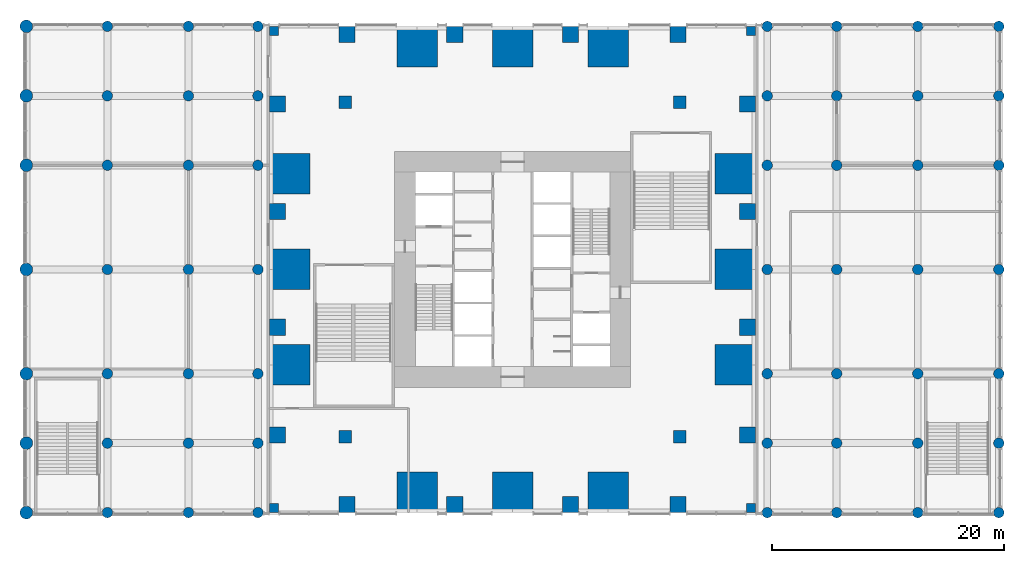
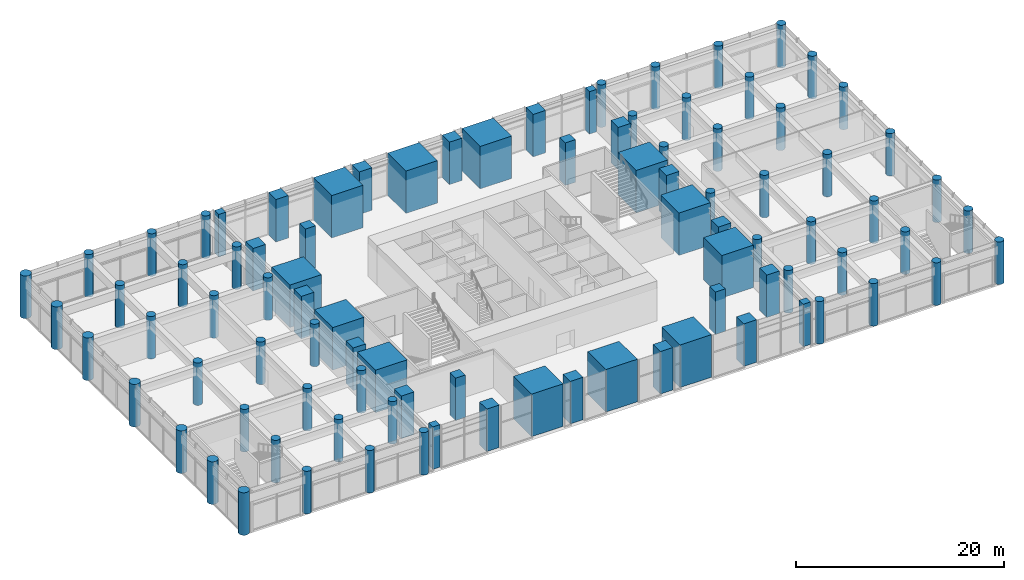
# One storey, part 1 of 23: 92 columns.
"""IFC4 building model written with IfcOpenShell, lengths in metres."""

from ifc_helpers import new_model, si_unit, direction, frame, origin, origin_2d, place, context, subcontext, project, spatial, rectangle, circle, extrude, material, material_profile, profile_set, type_object, element, save


model = new_model("IFC4")

# Units and contexts
model_context = context("Model", 3, precision=1e-05, world=origin(), true_north=direction((0.0, 1.0)))
body_context = subcontext(model_context, "Body", "Model", "MODEL_VIEW")
ifc_project = project(units=[si_unit("LENGTHUNIT", "METRE"), si_unit("AREAUNIT", "SQUARE_METRE"), si_unit("VOLUMEUNIT", "CUBIC_METRE"), si_unit("PLANEANGLEUNIT", "RADIAN"), si_unit("MASSUNIT", "GRAM", prefix="KILO")], contexts=[model_context])

# Site, building, storey
site_placement = place(None, origin())
site = spatial("IfcSite", under=ifc_project, at=site_placement, CompositionType="ELEMENT")
building_placement = place(site_placement, origin())
building = spatial("IfcBuilding", under=site, at=building_placement, Name="Svetlomir Tower", CompositionType="ELEMENT")
storey_placement = place(building_placement, frame((0.0, 0.0, 6.0)))
storey = spatial("IfcBuildingStorey", under=building, at=storey_placement, Name="L01", CompositionType="ELEMENT", Elevation=6.0)

# Columns
ifc_material_1 = material(Name="Concrete C60/75", Category="concrete")
ifc_material_profile_1 = material_profile(ifc_material_1, rectangle(XDim=1.10009765625, YDim=1.10009765625, at=origin_2d()), Name="RC 1100x1100")
ifc_profile_set_1 = profile_set([ifc_material_profile_1], Name="Concrete C60/75")
column_type_1 = type_object("IfcColumnType", Name="COLUMN RC 1100x1100", PredefinedType="COLUMN", material=ifc_profile_set_1)
for number, where, z_axis, x_axis, name in (
    (1, (6.550048828125, 6.550048828125, 0.0), (0.0, 0.0, 1.0), (1.0, 0.0, 0.0), "Column 6/6 L01"),
    (2, (35.449951171875, 6.550048828125, 0.0), (0.0, 0.0, 1.0), (1.0, 0.0, 0.0), "Column 36/6 L01"),
    (3, (6.550048828125, 35.449951171875, 0.0), (0.0, 0.0, 1.0), (1.0, 0.0, 0.0), "Column 6/36 L01"),
    (4, (35.449951171875, 35.449951171875, 0.0), (0.0, 0.0, 1.0), (1.0, 0.0, 0.0), "Column 36/36 L01"),
):
    element("IfcColumn", number, at=place(storey_placement, frame(where, z_axis=z_axis, x_axis=x_axis)), inside=storey, type_object=column_type_1, Name=name, PredefinedType="COLUMN", context=body_context, shape_type="SweptSolid", body=[
        extrude(rectangle(XDim=1.10009765625, YDim=1.10009765625, at=origin_2d()), origin(), (0.0, 0.0, 1.0), 5.0),
    ])
ifc_material_2 = material(Name="Concrete C60/75", Category="concrete")
ifc_material_profile_2 = material_profile(ifc_material_2, rectangle(XDim=1.39990234375, YDim=1.39990234375, at=origin_2d()), Name="RC 1400x1400")
ifc_profile_set_2 = profile_set([ifc_material_profile_2], Name="Concrete C60/75")
column_type_2 = type_object("IfcColumnType", Name="COLUMN RC 1400x1400", PredefinedType="COLUMN", material=ifc_profile_set_2)
for number, where, z_axis, x_axis, name in (
    (5, (6.699951171875, 0.699951171875, 0.0), (0.0, 0.0, 1.0), (1.0, 0.0, 0.0), "Column 6/0 L01"),
    (6, (16.0, 0.699951171875, 0.0), (0.0, 0.0, 1.0), (1.0, 0.0, 0.0), "Column 16/0 L01"),
    (7, (26.0, 0.699951171875, 0.0), (0.0, 0.0, 1.0), (1.0, 0.0, 0.0), "Column 26/0 L01"),
    (8, (35.300048828125, 0.699951171875, 0.0), (0.0, 0.0, 1.0), (1.0, 0.0, 0.0), "Column 36/0 L01"),
    (9, (0.699951171875, 6.699951171875, 0.0), (0.0, 0.0, 1.0), (1.0, 0.0, 0.0), "Column 0/6 L01"),
    (10, (41.300048828125, 6.699951171875, 0.0), (0.0, 0.0, 1.0), (1.0, 0.0, 0.0), "Column 42/6 L01"),
    (11, (0.699951171875, 16.0, 0.0), (0.0, 0.0, 1.0), (1.0, 0.0, 0.0), "Column 0/16 L01"),
    (12, (41.300048828125, 16.0, 0.0), (0.0, 0.0, 1.0), (1.0, 0.0, 0.0), "Column 42/16 L01"),
    (13, (0.699951171875, 26.0, 0.0), (0.0, 0.0, 1.0), (1.0, 0.0, 0.0), "Column 0/26 L01"),
    (14, (41.300048828125, 26.0, 0.0), (0.0, 0.0, 1.0), (1.0, 0.0, 0.0), "Column 42/26 L01"),
    (15, (0.699951171875, 35.300048828125, 0.0), (0.0, 0.0, 1.0), (1.0, 0.0, 0.0), "Column 0/36 L01"),
    (16, (41.300048828125, 35.300048828125, 0.0), (0.0, 0.0, 1.0), (1.0, 0.0, 0.0), "Column 42/36 L01"),
    (17, (6.699951171875, 41.300048828125, 0.0), (0.0, 0.0, 1.0), (1.0, 0.0, 0.0), "Column 6/42 L01"),
    (18, (16.0, 41.300048828125, 0.0), (0.0, 0.0, 1.0), (1.0, 0.0, 0.0), "Column 16/42 L01"),
    (19, (26.0, 41.300048828125, 0.0), (0.0, 0.0, 1.0), (1.0, 0.0, 0.0), "Column 26/42 L01"),
    (20, (35.300048828125, 41.300048828125, 0.0), (0.0, 0.0, 1.0), (1.0, 0.0, 0.0), "Column 36/42 L01"),
):
    element("IfcColumn", number, at=place(storey_placement, frame(where, z_axis=z_axis, x_axis=x_axis)), inside=storey, type_object=column_type_2, Name=name, PredefinedType="COLUMN", context=body_context, shape_type="SweptSolid", body=[
        extrude(rectangle(XDim=1.39990234375, YDim=1.39990234375, at=origin_2d()), origin(), (0.0, 0.0, 1.0), 5.0),
    ])
ifc_material_3 = material(Name="Concrete C60/75", Category="concrete")
ifc_material_profile_3 = material_profile(ifc_material_3, rectangle(XDim=3.5, YDim=3.5, at=origin_2d()), Name="RC 3500x3500")
ifc_profile_set_3 = profile_set([ifc_material_profile_3], Name="Concrete C60/75")
column_type_3 = type_object("IfcColumnType", Name="COLUMN RC 3500x3500", PredefinedType="COLUMN", material=ifc_profile_set_3)
for number, where, z_axis, x_axis, name in (
    (21, (12.75, 1.75, 0.0), (0.0, 0.0, 1.0), (1.0, 0.0, 0.0), "Column 11/0 L01"),
    (22, (21.0, 1.75, 0.0), (0.0, 0.0, 1.0), (1.0, 0.0, 0.0), "Column 21/0 L01"),
    (23, (29.25, 1.75, 0.0), (0.0, 0.0, 1.0), (1.0, 0.0, 0.0), "Column 31/0 L01"),
    (24, (1.75, 12.75, 0.0), (0.0, 0.0, 1.0), (1.0, 0.0, 0.0), "Column 0/11 L01"),
    (25, (40.25, 12.75, 0.0), (0.0, 0.0, 1.0), (1.0, 0.0, 0.0), "Column 42/11 L01"),
    (26, (1.75, 21.0, 0.0), (0.0, 0.0, 1.0), (1.0, 0.0, 0.0), "Column 0/21 L01"),
    (27, (40.25, 21.0, 0.0), (0.0, 0.0, 1.0), (1.0, 0.0, 0.0), "Column 42/21 L01"),
    (28, (1.75, 29.25, 0.0), (0.0, 0.0, 1.0), (1.0, 0.0, 0.0), "Column 0/31 L01"),
    (29, (40.25, 29.25, 0.0), (0.0, 0.0, 1.0), (1.0, 0.0, 0.0), "Column 42/31 L01"),
    (30, (12.75, 40.25, 0.0), (0.0, 0.0, 1.0), (1.0, 0.0, 0.0), "Column 11/42 L01"),
    (31, (21.0, 40.25, 0.0), (0.0, 0.0, 1.0), (1.0, 0.0, 0.0), "Column 21/42 L01"),
    (32, (29.25, 40.25, 0.0), (0.0, 0.0, 1.0), (1.0, 0.0, 0.0), "Column 31/42 L01"),
):
    element("IfcColumn", number, at=place(storey_placement, frame(where, z_axis=z_axis, x_axis=x_axis)), inside=storey, type_object=column_type_3, Name=name, PredefinedType="COLUMN", context=body_context, shape_type="SweptSolid", body=[
        extrude(rectangle(XDim=3.5, YDim=3.5, at=origin_2d()), origin(), (0.0, 0.0, 1.0), 5.0),
    ])
ifc_material_4 = material(Name="Concrete C60/75", Category="concrete")
ifc_material_profile_4 = material_profile(ifc_material_4, rectangle(XDim=0.800048828125, YDim=0.800048828125, at=origin_2d()), Name="RC 800x800")
ifc_profile_set_4 = profile_set([ifc_material_profile_4], Name="Concrete C60/75")
column_type_4 = type_object("IfcColumnType", Name="COLUMN RC 800x800", PredefinedType="COLUMN", material=ifc_profile_set_4)
for number, where, z_axis, x_axis, name in (
    (33, (0.39990234375, 0.39990234375, 0.0), (0.0, 0.0, 1.0), (1.0, 0.0, 0.0), "Column 0/0 L01"),
    (34, (41.60009765625, 0.39990234375, 0.0), (0.0, 0.0, 1.0), (1.0, 0.0, 0.0), "Column 42/0 L01"),
    (35, (0.39990234375, 41.60009765625, 0.0), (0.0, 0.0, 1.0), (1.0, 0.0, 0.0), "Column 0/42 L01"),
    (36, (41.60009765625, 41.60009765625, 0.0), (0.0, 0.0, 1.0), (1.0, 0.0, 0.0), "Column 42/42 L01"),
):
    element("IfcColumn", number, at=place(storey_placement, frame(where, z_axis=z_axis, x_axis=x_axis)), inside=storey, type_object=column_type_4, Name=name, PredefinedType="COLUMN", context=body_context, shape_type="SweptSolid", body=[
        extrude(rectangle(XDim=0.800048828125, YDim=0.800048828125, at=origin_2d()), origin(), (0.0, 0.0, 1.0), 5.0),
    ])
ifc_material_5 = material(Name="Concrete C60/75", Category="concrete")
ifc_material_profile_5 = material_profile(ifc_material_5, circle(Radius=0.550048828125, at=origin_2d()), Name="RC D1100")
ifc_profile_set_5 = profile_set([ifc_material_profile_5], Name="Concrete C60/75")
column_type_5 = type_object("IfcColumnType", Name="COLUMN RC D1100", PredefinedType="COLUMN", material=ifc_profile_set_5)
for number, where, z_axis, x_axis, name in (
    (37, (-21.0, 0.0, 0.0), (0.0, 0.0, 1.0), (1.0, 0.0, 0.0), "Column -21/0 L01"),
    (38, (-21.0, 6.0, 0.0), (0.0, 0.0, 1.0), (1.0, 0.0, 0.0), "Column -21/6 L01"),
    (39, (-21.0, 12.0, 0.0), (0.0, 0.0, 1.0), (1.0, 0.0, 0.0), "Column -21/12 L01"),
    (40, (-21.0, 21.0, 0.0), (0.0, 0.0, 1.0), (1.0, 0.0, 0.0), "Column -21/21 L01"),
    (41, (-21.0, 30.0, 0.0), (0.0, 0.0, 1.0), (1.0, 0.0, 0.0), "Column -21/30 L01"),
    (42, (-21.0, 36.0, 0.0), (0.0, 0.0, 1.0), (1.0, 0.0, 0.0), "Column -21/36 L01"),
    (43, (-21.0, 42.0, 0.0), (0.0, 0.0, 1.0), (1.0, 0.0, 0.0), "Column -21/42 L01"),
):
    element("IfcColumn", number, at=place(storey_placement, frame(where, z_axis=z_axis, x_axis=x_axis)), inside=storey, type_object=column_type_5, Name=name, PredefinedType="COLUMN", context=body_context, shape_type="SweptSolid", body=[
        extrude(circle(Radius=0.550048828125, at=origin_2d()), origin(), (0.0, 0.0, 1.0), 5.0),
    ])
ifc_material_6 = material(Name="Concrete C60/75", Category="concrete")
ifc_material_profile_6 = material_profile(ifc_material_6, circle(Radius=0.449951171875, at=origin_2d()), Name="RC D900")
ifc_profile_set_6 = profile_set([ifc_material_profile_6], Name="Concrete C60/75")
column_type_6 = type_object("IfcColumnType", Name="COLUMN RC D900", PredefinedType="COLUMN", material=ifc_profile_set_6)
for number, where, z_axis, x_axis, name in (
    (44, (-14.0, 0.0, 0.0), (0.0, 0.0, 1.0), (1.0, 0.0, 0.0), "Column -14/0 L01"),
    (45, (-7.0, 0.0, 0.0), (0.0, 0.0, 1.0), (1.0, 0.0, 0.0), "Column -7/0 L01"),
    (46, (-1.0, 0.0, 0.0), (0.0, 0.0, 1.0), (1.0, 0.0, 0.0), "Column -1/0 L01"),
    (47, (43.0, 0.0, 0.0), (0.0, 0.0, 1.0), (1.0, 0.0, 0.0), "Column 43/0 L01"),
    (48, (49.0, 0.0, 0.0), (0.0, 0.0, 1.0), (1.0, 0.0, 0.0), "Column 49/0 L01"),
    (49, (56.0, 0.0, 0.0), (0.0, 0.0, 1.0), (1.0, 0.0, 0.0), "Column 56/0 L01"),
    (50, (63.0, 0.0, 0.0), (0.0, 0.0, 1.0), (1.0, 0.0, 0.0), "Column 63/0 L01"),
    (51, (-14.0, 6.0, 0.0), (0.0, 0.0, 1.0), (1.0, 0.0, 0.0), "Column -14/6 L01"),
    (52, (-7.0, 6.0, 0.0), (0.0, 0.0, 1.0), (1.0, 0.0, 0.0), "Column -7/6 L01"),
    (53, (-1.0, 6.0, 0.0), (0.0, 0.0, 1.0), (1.0, 0.0, 0.0), "Column -1/6 L01"),
    (54, (43.0, 6.0, 0.0), (0.0, 0.0, 1.0), (1.0, 0.0, 0.0), "Column 43/6 L01"),
    (55, (49.0, 6.0, 0.0), (0.0, 0.0, 1.0), (1.0, 0.0, 0.0), "Column 49/6 L01"),
    (56, (56.0, 6.0, 0.0), (0.0, 0.0, 1.0), (1.0, 0.0, 0.0), "Column 56/6 L01"),
    (57, (63.0, 6.0, 0.0), (0.0, 0.0, 1.0), (1.0, 0.0, 0.0), "Column 63/6 L01"),
    (58, (-14.0, 12.0, 0.0), (0.0, 0.0, 1.0), (1.0, 0.0, 0.0), "Column -14/12 L01"),
    (59, (-7.0, 12.0, 0.0), (0.0, 0.0, 1.0), (1.0, 0.0, 0.0), "Column -7/12 L01"),
    (60, (-1.0, 12.0, 0.0), (0.0, 0.0, 1.0), (1.0, 0.0, 0.0), "Column -1/12 L01"),
    (61, (43.0, 12.0, 0.0), (0.0, 0.0, 1.0), (1.0, 0.0, 0.0), "Column 43/12 L01"),
    (62, (49.0, 12.0, 0.0), (0.0, 0.0, 1.0), (1.0, 0.0, 0.0), "Column 49/12 L01"),
    (63, (56.0, 12.0, 0.0), (0.0, 0.0, 1.0), (1.0, 0.0, 0.0), "Column 56/12 L01"),
    (64, (63.0, 12.0, 0.0), (0.0, 0.0, 1.0), (1.0, 0.0, 0.0), "Column 63/12 L01"),
    (65, (-14.0, 21.0, 0.0), (0.0, 0.0, 1.0), (1.0, 0.0, 0.0), "Column -14/21 L01"),
    (66, (-7.0, 21.0, 0.0), (0.0, 0.0, 1.0), (1.0, 0.0, 0.0), "Column -7/21 L01"),
    (67, (-1.0, 21.0, 0.0), (0.0, 0.0, 1.0), (1.0, 0.0, 0.0), "Column -1/21 L01"),
    (68, (43.0, 21.0, 0.0), (0.0, 0.0, 1.0), (1.0, 0.0, 0.0), "Column 43/21 L01"),
    (69, (49.0, 21.0, 0.0), (0.0, 0.0, 1.0), (1.0, 0.0, 0.0), "Column 49/21 L01"),
    (70, (56.0, 21.0, 0.0), (0.0, 0.0, 1.0), (1.0, 0.0, 0.0), "Column 56/21 L01"),
    (71, (63.0, 21.0, 0.0), (0.0, 0.0, 1.0), (1.0, 0.0, 0.0), "Column 63/21 L01"),
    (72, (-14.0, 30.0, 0.0), (0.0, 0.0, 1.0), (1.0, 0.0, 0.0), "Column -14/30 L01"),
    (73, (-7.0, 30.0, 0.0), (0.0, 0.0, 1.0), (1.0, 0.0, 0.0), "Column -7/30 L01"),
    (74, (-1.0, 30.0, 0.0), (0.0, 0.0, 1.0), (1.0, 0.0, 0.0), "Column -1/30 L01"),
    (75, (43.0, 30.0, 0.0), (0.0, 0.0, 1.0), (1.0, 0.0, 0.0), "Column 43/30 L01"),
    (76, (49.0, 30.0, 0.0), (0.0, 0.0, 1.0), (1.0, 0.0, 0.0), "Column 49/30 L01"),
    (77, (56.0, 30.0, 0.0), (0.0, 0.0, 1.0), (1.0, 0.0, 0.0), "Column 56/30 L01"),
    (78, (63.0, 30.0, 0.0), (0.0, 0.0, 1.0), (1.0, 0.0, 0.0), "Column 63/30 L01"),
    (79, (-14.0, 36.0, 0.0), (0.0, 0.0, 1.0), (1.0, 0.0, 0.0), "Column -14/36 L01"),
    (80, (-7.0, 36.0, 0.0), (0.0, 0.0, 1.0), (1.0, 0.0, 0.0), "Column -7/36 L01"),
    (81, (-1.0, 36.0, 0.0), (0.0, 0.0, 1.0), (1.0, 0.0, 0.0), "Column -1/36 L01"),
    (82, (43.0, 36.0, 0.0), (0.0, 0.0, 1.0), (1.0, 0.0, 0.0), "Column 43/36 L01"),
    (83, (49.0, 36.0, 0.0), (0.0, 0.0, 1.0), (1.0, 0.0, 0.0), "Column 49/36 L01"),
    (84, (56.0, 36.0, 0.0), (0.0, 0.0, 1.0), (1.0, 0.0, 0.0), "Column 56/36 L01"),
    (85, (63.0, 36.0, 0.0), (0.0, 0.0, 1.0), (1.0, 0.0, 0.0), "Column 63/36 L01"),
    (86, (-14.0, 42.0, 0.0), (0.0, 0.0, 1.0), (1.0, 0.0, 0.0), "Column -14/42 L01"),
    (87, (-7.0, 42.0, 0.0), (0.0, 0.0, 1.0), (1.0, 0.0, 0.0), "Column -7/42 L01"),
    (88, (-1.0, 42.0, 0.0), (0.0, 0.0, 1.0), (1.0, 0.0, 0.0), "Column -1/42 L01"),
    (89, (43.0, 42.0, 0.0), (0.0, 0.0, 1.0), (1.0, 0.0, 0.0), "Column 43/42 L01"),
    (90, (49.0, 42.0, 0.0), (0.0, 0.0, 1.0), (1.0, 0.0, 0.0), "Column 49/42 L01"),
    (91, (56.0, 42.0, 0.0), (0.0, 0.0, 1.0), (1.0, 0.0, 0.0), "Column 56/42 L01"),
    (92, (63.0, 42.0, 0.0), (0.0, 0.0, 1.0), (1.0, 0.0, 0.0), "Column 63/42 L01"),
):
    element("IfcColumn", number, at=place(storey_placement, frame(where, z_axis=z_axis, x_axis=x_axis)), inside=storey, type_object=column_type_6, Name=name, PredefinedType="COLUMN", context=body_context, shape_type="SweptSolid", body=[
        extrude(circle(Radius=0.449951171875, at=origin_2d()), origin(), (0.0, 0.0, 1.0), 5.0),
    ])

save(model, "model.ifc")
